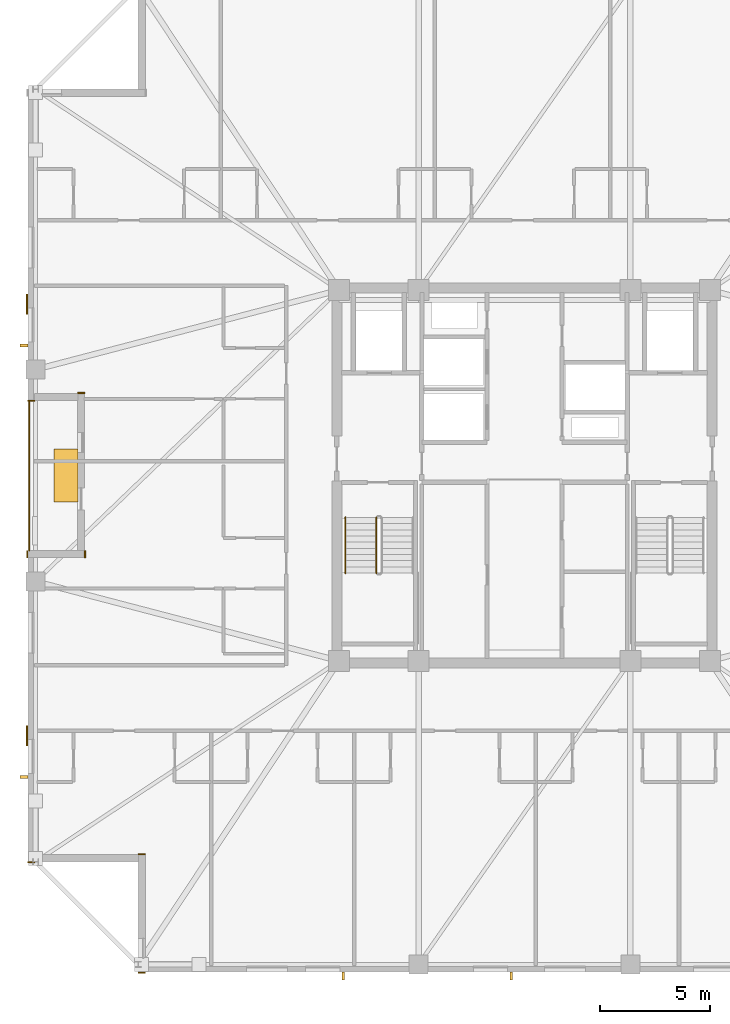
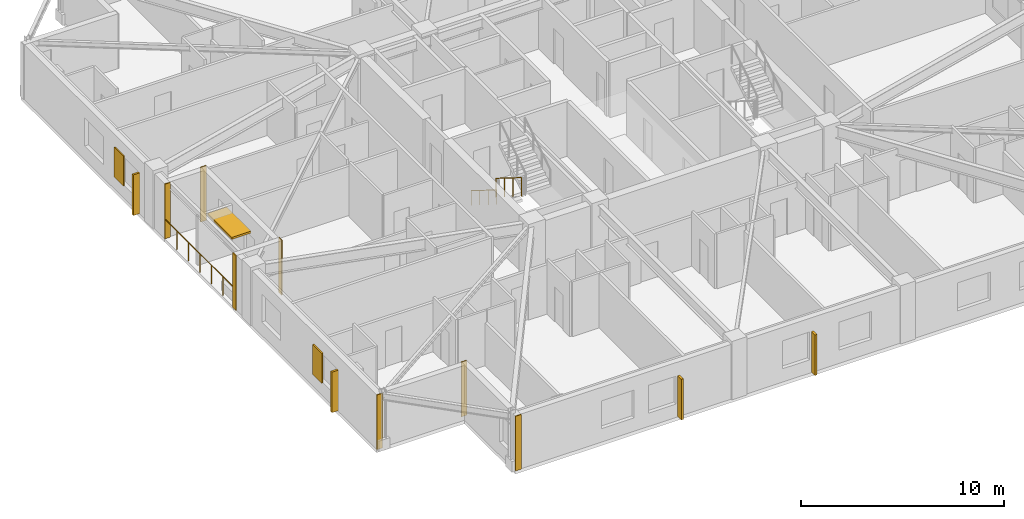
# One storey, part 13 of 17: 7 coverings, 7 shading devices, 3 railings.
"""IFC4 building model written with IfcOpenShell, lengths in metres."""

from ifc_helpers import new_model, si_unit, direction, frame, frame_2d, origin, origin_2d, place, context, subcontext, project, spatial, rectangle, circle, extrude, material, layer, layer_set, type_object, element, save


model = new_model("IFC4")

# Units and contexts
model_context = context("Model", 3, precision=1e-05, world=origin(), true_north=direction((0.0, 1.0)))
body_context = subcontext(model_context, "Body", "Model", "MODEL_VIEW")
ifc_project = project(units=[si_unit("LENGTHUNIT", "METRE"), si_unit("AREAUNIT", "SQUARE_METRE"), si_unit("VOLUMEUNIT", "CUBIC_METRE"), si_unit("PLANEANGLEUNIT", "RADIAN"), si_unit("MASSUNIT", "GRAM", prefix="KILO")], contexts=[model_context])

# Site, building, storey
site_placement = place(None, origin())
site = spatial("IfcSite", under=ifc_project, at=site_placement, CompositionType="ELEMENT")
building_placement = place(site_placement, origin())
building = spatial("IfcBuilding", under=site, at=building_placement, Name="Cairnveth Concourse Tower", CompositionType="ELEMENT")
storey_placement = place(building_placement, frame((0.0, 0.0, 241.0)))
storey = spatial("IfcBuildingStorey", under=building, at=storey_placement, Name="L66", CompositionType="ELEMENT", Elevation=241.0)

# Coverings
ifc_material_1 = material(Name="Dressed Melbourne Bluestone Cladding", Category="masonry")
ifc_layer = layer(ifc_material_1, 0.050048828125)
ifc_layer_set = layer_set([ifc_layer], Name="Dressed Melbourne Bluestone Cladding")
covering_type = type_object("IfcCoveringType", Name="DRESSED BLUESTONE PLINTH CLADDING 50", PredefinedType="CLADDING", material=ifc_layer_set)
for number, where, z_axis, x_axis, name in (
    (1, (29.820068359375, 42.3798828125, 0.0), (0.0, 0.0, 1.0), (-1.0, 0.0, 0.0), "Melbourne Bluestone Corner Quoin L66-991"),
    (2, (34.820068359375, 16.47998046875, 0.0), (0.0, 0.0, 1.0), (-1.0, 0.0, 0.0), "Melbourne Bluestone Corner Quoin L66-1001"),
    (3, (34.820068359375, 21.840087890625, 0.0), (0.0, 0.0, 1.0), (-1.0, 0.0, 0.0), "Melbourne Bluestone Corner Quoin L66-1002"),
    (4, (29.820068359375, 21.47998046875, 0.0), (0.0, 0.0, 1.0), (-1.0, 0.0, 0.0), "Melbourne Bluestone Corner Quoin L66-1003"),
    (5, (29.47998046875, 35.280029296875, 0.0), (0.0, 0.0, 1.0), (0.0, 1.0, 0.0), "Melbourne Bluestone Corner Quoin L66-1004"),
    (6, (32.090087890625, 35.280029296875, 0.0), (0.0, 0.0, 1.0), (0.0, 1.0, 0.0), "Melbourne Bluestone Corner Quoin L66-1005"),
    (7, (32.070068359375, 42.739990234375, 0.0), (0.0, 0.0, 1.0), (-1.0, 0.0, 0.0), "Melbourne Bluestone Corner Quoin L66-1006"),
):
    element("IfcCovering", number, at=place(storey_placement, frame(where, z_axis=z_axis, x_axis=x_axis)), inside=storey, type_object=covering_type, Name=name, PredefinedType="CLADDING", context=body_context, shape_type="SweptSolid", body=[
        extrude(rectangle(XDim=0.320068359375, YDim=0.050048828125, at=frame_2d((0.16015625, 0.0))), origin(), (0.0, 0.0, 1.0), 3.2900390625),
    ])

# Shading devices
ifc_material_2 = material(Name="Architectural Bronze Anodised Aluminium 6063-T6", Category="aluminium")
shading_device_type_1 = type_object("IfcShadingDeviceType", Name="GOTHIC BRONZE VERTICAL LANCET FIN", PredefinedType="USERDEFINED", material=ifc_material_2)
for number, where, z_axis, x_axis, name in (
    (8, (29.324951171875, 44.890380859375, 0.030029296875), (0.0, 0.0, 1.0), (0.0, 1.0, 0.0), "Gothic Bronze Vertical Fin L66-0-1"),
    (9, (51.396484375, 16.324951171875, 0.030029296875), (0.0, 0.0, 1.0), (1.0, 0.0, 0.0), "Gothic Bronze Vertical Fin L66-9-5"),
    (10, (43.7958984375, 16.324951171875, 0.030029296875), (0.0, 0.0, 1.0), (1.0, 0.0, 0.0), "Gothic Bronze Vertical Fin L66-9-7"),
    (11, (29.324951171875, 25.340576171875, 0.030029296875), (0.0, 0.0, 1.0), (0.0, 1.0, 0.0), "Gothic Bronze Vertical Fin L66-12-1"),
):
    element("IfcShadingDevice", number, at=place(storey_placement, frame(where, z_axis=z_axis, x_axis=x_axis)), inside=storey, type_object=shading_device_type_1, Name=name, ObjectType="VERTICAL FIN", PredefinedType="USERDEFINED", context=body_context, shape_type="SweptSolid", body=[
        extrude(rectangle(XDim=0.1201171875, YDim=0.360107421875, at=origin_2d()), origin(), (0.0, 0.0, 1.0), 2.43798828125),
    ])
shading_device_type_2 = type_object("IfcShadingDeviceType", Name="SPIRAL TERRACE SUNSHADE CANOPY", PredefinedType="USERDEFINED", material=ifc_material_2)
shading_device_placement = place(storey_placement, frame((31.22998046875, 39.0, 2.31787109375), z_axis=(0.0, 0.0, 1.0), x_axis=(1.0, 0.0, 0.0)))
element("IfcShadingDevice", 12, at=shading_device_placement, inside=storey, type_object=shading_device_type_2, Name="Spiral Terrace Sunshade L66", ObjectType="TERRACE SUNSHADE", PredefinedType="USERDEFINED", context=body_context, shape_type="SweptSolid", body=[
    extrude(rectangle(XDim=1.10009765625, YDim=2.39990234375, at=origin_2d()), origin(), (0.0, 0.0, 1.0), 0.1201171875),
])

# Railings
ifc_material_3 = material(Name="Steel Grade 350", Category="steel")
railing_type_1 = type_object("IfcRailingType", Name="STAIR GUARDRAIL 1150", PredefinedType="GUARDRAIL", material=ifc_material_3)
railing_1_placement = place(storey_placement, frame((45.2900390625, 37.10009765625, 0.175048828125)))
element("IfcRailing", 13, at=railing_1_placement, inside=storey, type_object=railing_type_1, Name="L66 ST-1 stair guard 1", PredefinedType="GUARDRAIL", context=body_context, shape_type="SweptSolid", body=[
    extrude(circle(Radius=0.02392578125, at=origin_2d()), frame((0.0, 0.0, 1.1259765625), z_axis=(0.0, -0.848007534815, 0.529984170421), x_axis=(1.0, 0.0, 0.0)), (0.0, 0.0, 1.0), 2.9716796875),
    extrude(circle(Radius=0.02099609375, at=origin_2d()), origin(), (0.0, 0.0, 1.0), 1.101806640625),
    extrude(circle(Radius=0.02099609375, at=origin_2d()), frame((0.0, -0.840087890625, 0.52490234375)), (0.0, 0.0, 1.0), 1.101806640625),
    extrude(circle(Radius=0.02099609375, at=origin_2d()), frame((0.0, -1.679931640625, 1.050048828125)), (0.0, 0.0, 1.0), 1.101806640625),
    extrude(circle(Radius=0.02099609375, at=origin_2d()), frame((0.0, -2.52001953125, 1.574951171875)), (0.0, 0.0, 1.0), 1.101806640625),
])
railing_type_2 = type_object("IfcRailingType", Name="STAIR WALL HANDRAIL 900", PredefinedType="HANDRAIL", material=ifc_material_3)
railing_2_placement = place(storey_placement, frame((43.889892578125, 37.10009765625, 0.175048828125)))
element("IfcRailing", 14, at=railing_2_placement, inside=storey, type_object=railing_type_2, Name="L66 ST-1 stair handrail 1", PredefinedType="HANDRAIL", context=body_context, shape_type="SweptSolid", body=[
    extrude(circle(Radius=0.02392578125, at=origin_2d()), frame((0.0, 0.0, 0.8759765625), z_axis=(0.0, -0.848007534815, 0.529984170421), x_axis=(1.0, 0.0, 0.0)), (0.0, 0.0, 1.0), 2.9716796875),
    extrude(circle(Radius=0.02099609375, at=origin_2d()), origin(), (0.0, 0.0, 1.0), 0.851806640625),
    extrude(circle(Radius=0.02099609375, at=origin_2d()), frame((0.0, -0.840087890625, 0.52490234375)), (0.0, 0.0, 1.0), 0.851806640625),
    extrude(circle(Radius=0.02099609375, at=origin_2d()), frame((0.0, -1.679931640625, 1.050048828125)), (0.0, 0.0, 1.0), 0.851806640625),
    extrude(circle(Radius=0.02099609375, at=origin_2d()), frame((0.0, -2.52001953125, 1.574951171875)), (0.0, 0.0, 1.0), 0.851806640625),
])
railing_type_3 = type_object("IfcRailingType", Name="TERRACE BRONZE BALUSTRADE 1150", PredefinedType="BALUSTRADE", material=ifc_material_2)
railing_3_placement = place(storey_placement, frame((29.56005859375, 35.60009765625, 0.0)))
element("IfcRailing", 15, at=railing_3_placement, inside=storey, type_object=railing_type_3, Name="Terrace Balustrade RL-L66-TERR", PredefinedType="BALUSTRADE", context=body_context, shape_type="SweptSolid", body=[
    extrude(circle(Radius=0.02490234375, at=origin_2d()), frame((0.0, 0.0, 1.125), z_axis=(0.0, 1.0, 0.0), x_axis=(-1.0, 0.0, 0.0)), (0.0, 0.0, 1.0), 6.7998046875),
    extrude(circle(Radius=0.02099609375, at=origin_2d()), origin(), (0.0, 0.0, 1.0), 1.099853515625),
    extrude(circle(Radius=0.02099609375, at=origin_2d()), frame((0.0, 1.13330078125, 0.0)), (0.0, 0.0, 1.0), 1.099853515625),
    extrude(circle(Radius=0.02099609375, at=origin_2d()), frame((0.0, 2.2666015625, 0.0)), (0.0, 0.0, 1.0), 1.099853515625),
    extrude(circle(Radius=0.02099609375, at=origin_2d()), frame((0.0, 3.39990234375, 0.0)), (0.0, 0.0, 1.0), 1.099853515625),
    extrude(circle(Radius=0.02099609375, at=origin_2d()), frame((0.0, 4.533203125, 0.0)), (0.0, 0.0, 1.0), 1.099853515625),
    extrude(circle(Radius=0.02099609375, at=origin_2d()), frame((0.0, 5.66650390625, 0.0)), (0.0, 0.0, 1.0), 1.099853515625),
    extrude(circle(Radius=0.02099609375, at=origin_2d()), frame((0.0, 6.7998046875, 0.0)), (0.0, 0.0, 1.0), 1.099853515625),
])

# Shading devices
shading_device_type_3 = type_object("IfcShadingDeviceType", Name="WEST SOLAR PERFORATED SHUTTER", PredefinedType="SHUTTER", material=ifc_material_2)
for number, where, z_axis, x_axis, name in (
    (16, (29.464111328125, 46.760498046875, 0.7998046875), (0.0, 0.0, 1.0), (1.0, 0.0, 0.0), "West Solar Shutter L66"),
    (17, (29.464111328125, 27.21044921875, 0.7998046875), (0.0, 0.0, 1.0), (1.0, 0.0, 0.0), "West Solar Shutter L66"),
):
    element("IfcShadingDevice", number, at=place(storey_placement, frame(where, z_axis=z_axis, x_axis=x_axis)), inside=storey, type_object=shading_device_type_3, Name=name, PredefinedType="SHUTTER", context=body_context, shape_type="SweptSolid", body=[
        extrude(rectangle(XDim=0.080078125, YDim=0.89990234375, at=origin_2d()), origin(), (0.0, 0.0, 1.0), 1.800048828125),
    ])

save(model, "model.ifc")
